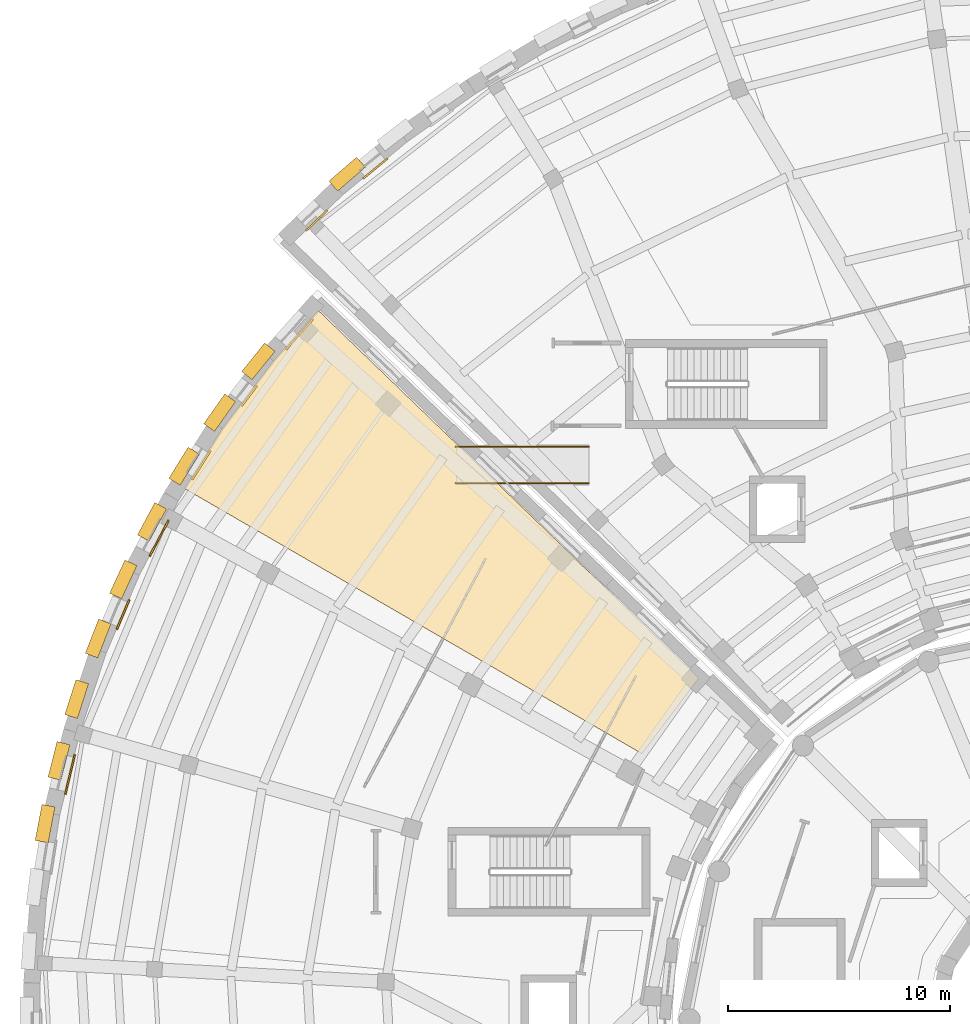
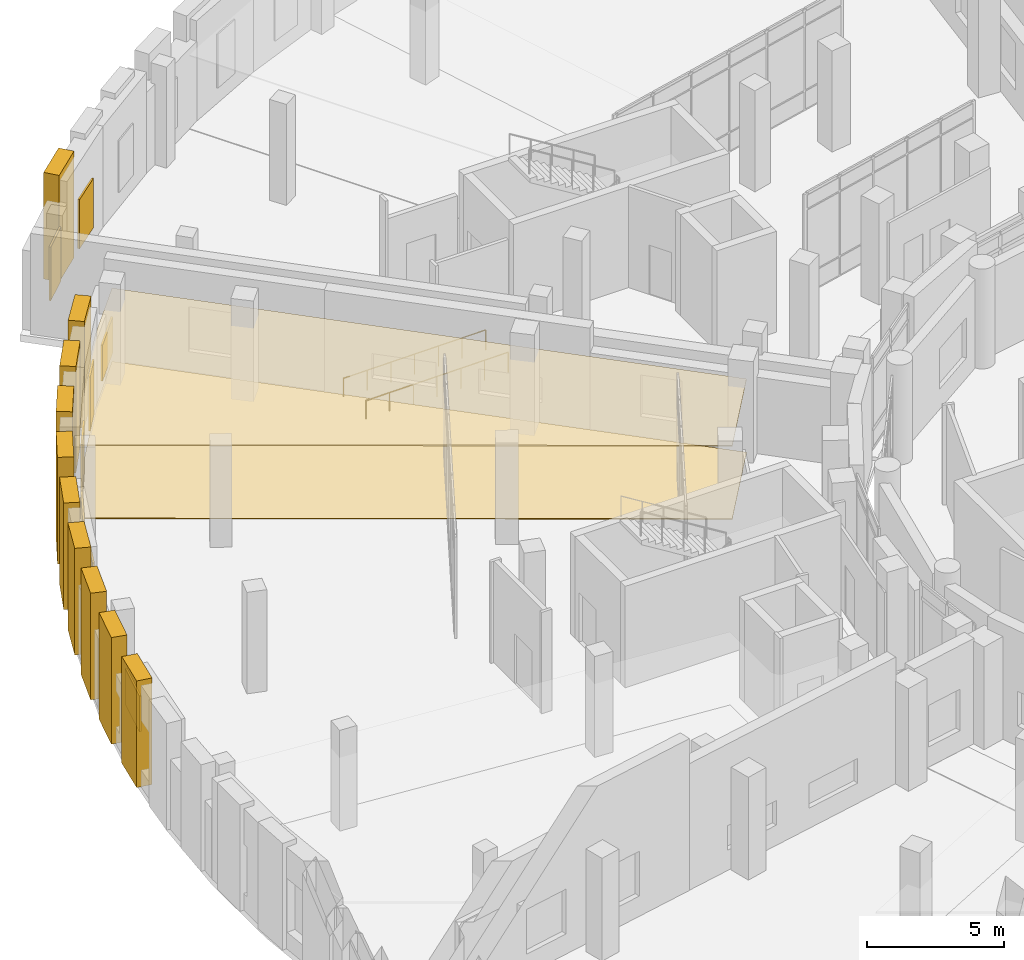
# One storey, part 81 of 89: 20 coverings, 2 railings.
"""IFC4 building model written with IfcOpenShell, lengths in metres."""

import ifcopenshell
import ifcopenshell.guid

model = None  # the IFC model being written
_history = None  # IfcOwnerHistory: only IFC2X3 demands one
_inside = {}  # id of a spatial element -> (the spatial element, [elements in it])
_under = {}  # id of a project, library or spatial element -> (it, [spatial elements below it])
_declared = {}  # id of a project -> (the project, [libraries it declares])
_typed = {}  # id of a type object -> (the type object, [elements of that type])
_made_of = {}  # id of a material, layer set ... -> (it, [elements and type objects made of it])


def new_model(schema):
    """Start an empty IFC model of exactly this schema.

    Asked for "IFC4X3", IfcOpenShell would pick the latest addendum, in which some entities
    have other attributes; the version numbers below select the first issue.
    IFC2X3 requires an IfcOwnerHistory on every rooted entity: one is made here for all.
    """
    global model, _history
    if schema == "IFC4X3":
        model = ifcopenshell.file(schema_version=(4, 3, 0, 0))
    else:
        model = ifcopenshell.file(schema=schema)
    _inside.clear()
    _under.clear()
    _declared.clear()
    _typed.clear()
    _made_of.clear()
    _history = None
    if model.schema == "IFC2X3":
        org = make("IfcOrganization", Name="unknown")
        user = make(
            "IfcPersonAndOrganization",
            ThePerson=make("IfcPerson", FamilyName="unknown"),
            TheOrganization=org,
        )
        app = make(
            "IfcApplication",
            ApplicationDeveloper=org,
            Version="unknown",
            ApplicationFullName="unknown",
            ApplicationIdentifier="unknown",
        )
        _history = make(
            "IfcOwnerHistory",
            OwningUser=user,
            OwningApplication=app,
            ChangeAction="ADDED",
            CreationDate=0,
        )
    return model


def make(cls, **values):
    """One entity of the class cls with the attributes given. An attribute that is None is left unset."""
    return model.create_entity(
        cls, **{name: value for name, value in values.items() if value is not None}
    )


def rooted(cls, **values):
    """An entity with a GlobalId (a new one), such as an element, a storey or a relation."""
    return make(cls, GlobalId=ifcopenshell.guid.new(), OwnerHistory=_history, **values)


def si_unit(unit_type, name, prefix=None):
    """IfcSIUnit, for example si_unit("LENGTHUNIT", "METRE", prefix="MILLI")."""
    return make("IfcSIUnit", UnitType=unit_type, Prefix=prefix, Name=name)


def assignment(units):
    """IfcUnitAssignment: the units of a project."""
    return None if units is None else make("IfcUnitAssignment", Units=units)


def point(xyz):
    """IfcCartesianPoint."""
    return None if xyz is None else make("IfcCartesianPoint", Coordinates=xyz)


def direction(xyz):
    """IfcDirection."""
    return None if xyz is None else make("IfcDirection", DirectionRatios=xyz)


def frame(location, z_axis=None, x_axis=None):
    """IfcAxis2Placement3D, a coordinate frame: its origin and axes. An axis left out is left unset."""
    return make(
        "IfcAxis2Placement3D",
        Location=point(location),
        Axis=direction(z_axis),
        RefDirection=direction(x_axis),
    )


def frame_2d(location, x_axis=None):
    """IfcAxis2Placement2D, a coordinate frame in the plane: its origin and x axis."""
    return make(
        "IfcAxis2Placement2D", Location=point(location), RefDirection=direction(x_axis)
    )


def origin():
    """The frame at (0, 0, 0) with its axes left unset."""
    return frame((0.0, 0.0, 0.0))


def origin_2d():
    """The frame at (0, 0) in the plane with its x axis left unset."""
    return frame_2d((0.0, 0.0))


def place(relative_to, where):
    """IfcLocalPlacement: puts the frame where relative to a parent placement (None: the world)."""
    return make(
        "IfcLocalPlacement", PlacementRelTo=relative_to, RelativePlacement=where
    )


def context(
    kind, dimensions, precision=None, world=None, true_north=None, identifier=None
):
    """IfcGeometricRepresentationContext, for example the 3D "Model" context."""
    return make(
        "IfcGeometricRepresentationContext",
        ContextIdentifier=identifier,
        ContextType=kind,
        CoordinateSpaceDimension=dimensions,
        Precision=precision,
        WorldCoordinateSystem=world,
        TrueNorth=true_north,
    )


def subcontext(parent, identifier, kind, view, scale=None):
    """IfcGeometricRepresentationSubContext, for example "Body" below "Model"."""
    return make(
        "IfcGeometricRepresentationSubContext",
        ContextIdentifier=identifier,
        ContextType=kind,
        ParentContext=parent,
        TargetScale=scale,
        TargetView=view,
    )


def project(units=None, contexts=None):
    """IfcProject with its units and contexts."""
    return rooted(
        "IfcProject",
        Name="project",
        RepresentationContexts=contexts,
        UnitsInContext=assignment(units),
    )


def spatial(cls, under=None, at=None, **own):
    """A site, building, storey or space (cls), placed at a placement, below another one or the project."""
    s = rooted(cls, ObjectPlacement=at, **own)
    if under is not None:
        _under.setdefault(under.id(), (under, []))[1].append(s)
    return s


def polyline(points):
    """IfcPolyline through the points."""
    return make("IfcPolyline", Points=[point(p) for p in points])


def profile(cls, at=None, kind="AREA", **sizes):
    """A parametric profile (cls). Its sizes go by their IFC names, for example OverallWidth=200.0."""
    return make(cls, ProfileType=kind, Position=at, **sizes)


def rectangle(**sizes):
    """IfcRectangleProfileDef."""
    return profile("IfcRectangleProfileDef", **sizes)


def circle(**sizes):
    """IfcCircleProfileDef."""
    return profile("IfcCircleProfileDef", **sizes)


def outline(outer, holes=None, kind="AREA"):
    """IfcArbitraryClosedProfileDef: a profile drawn as a closed curve; with holes, ...WithVoids."""
    if holes is None:
        return make("IfcArbitraryClosedProfileDef", ProfileType=kind, OuterCurve=outer)
    return make(
        "IfcArbitraryProfileDefWithVoids",
        ProfileType=kind,
        OuterCurve=outer,
        InnerCurves=holes,
    )


def extrude(swept, where, along, depth):
    """IfcExtrudedAreaSolid: the profile swept, set in the frame where, extruded along a direction by depth."""
    return make(
        "IfcExtrudedAreaSolid",
        SweptArea=swept,
        Position=where,
        ExtrudedDirection=direction(along),
        Depth=depth,
    )


def shape(context_of_items, identifier, shape_type, items):
    """IfcShapeRepresentation: the items that make up one representation, for example the "Body"."""
    return make(
        "IfcShapeRepresentation",
        ContextOfItems=context_of_items,
        RepresentationIdentifier=identifier,
        RepresentationType=shape_type,
        Items=items,
    )


def material(Name=None, Category=None):
    """IfcMaterial."""
    return make("IfcMaterial", Name=Name, Category=Category)


def layer(
    of_material, thickness, ventilated=None, Name=None, Category=None, Priority=None
):
    """IfcMaterialLayer: one layer of a wall or slab, of a material (None: an air gap)."""
    return make(
        "IfcMaterialLayer",
        Material=of_material,
        LayerThickness=thickness,
        IsVentilated=ventilated,
        Name=Name,
        Category=Category,
        Priority=Priority,
    )


def layer_set(layers, Name=None):
    """IfcMaterialLayerSet."""
    return make("IfcMaterialLayerSet", MaterialLayers=layers, LayerSetName=Name)


def made_of(thing, what):
    """Note that an element or type object is made of a material, layer set ...; save() writes the relation."""
    if what is not None:
        _made_of.setdefault(what.id(), (what, []))[1].append(thing)
    return thing


def type_object(cls, material=None, **own):
    """A type object (cls), such as IfcWallType, which elements share."""
    return made_of(rooted(cls, **own), material)


def element(
    cls,
    number,
    at=None,
    inside=None,
    cuts=None,
    type_object=None,
    material=None,
    context=None,
    identifier="Body",
    shape_type=None,
    held_by="IfcProductDefinitionShape",
    body=None,
    shapes=None,
    **own,
):
    """One element of the class cls, such as IfcWall. Its Tag is "e" and its number.

    at: its placement. inside: the storey or other place that contains it. cuts: it is an
    opening in that element (IfcRelVoidsElement). A single representation is given by context,
    identifier, shape_type and body (its items); several are given by shapes. held_by: the class
    of the entity that holds the representations. save() writes the other relations.
    """
    e = rooted(cls, Tag="e%d" % number, ObjectPlacement=at, **own)
    if body is not None:
        shapes = [shape(context, identifier, shape_type, body)]
    if shapes is not None:
        e.Representation = make(held_by, Representations=shapes)
    if inside is not None:
        _inside.setdefault(inside.id(), (inside, []))[1].append(e)
    if cuts is not None:
        rooted(
            "IfcRelVoidsElement", RelatingBuildingElement=cuts, RelatedOpeningElement=e
        )
    if type_object is not None:
        _typed.setdefault(type_object.id(), (type_object, []))[1].append(e)
    return made_of(e, material)


def aggregate(whole, parts):
    """IfcRelAggregates: a whole, such as a stair, and the parts it consists of."""
    return rooted("IfcRelAggregates", RelatingObject=whole, RelatedObjects=parts)


def save(model, path):
    """Write the relations noted so far, then the file.

    IfcRelAggregates (storeys below a building ...), IfcRelContainedInSpatialStructure (elements
    in a storey), IfcRelDefinesByType, IfcRelAssociatesMaterial and IfcRelDeclares: one each for
    every whole, place, type object, material and project.
    """
    for whole, parts in _under.values():
        aggregate(whole, parts)
    for where, things in _inside.values():
        rooted(
            "IfcRelContainedInSpatialStructure",
            RelatedElements=things,
            RelatingStructure=where,
        )
    for kind, things in _typed.values():
        rooted("IfcRelDefinesByType", RelatedObjects=things, RelatingType=kind)
    for what, things in _made_of.values():
        rooted("IfcRelAssociatesMaterial", RelatedObjects=things, RelatingMaterial=what)
    for by, libraries in _declared.values():
        rooted("IfcRelDeclares", RelatingContext=by, RelatedDefinitions=libraries)
    model.write(path)


model = new_model("IFC4")

# Units and contexts
model_context = context("Model", 3, precision=1e-05, world=origin(), true_north=direction((0.0, 1.0)))
body_context = subcontext(model_context, "Body", "Model", "MODEL_VIEW")
ifc_project = project(units=[si_unit("LENGTHUNIT", "METRE"), si_unit("AREAUNIT", "SQUARE_METRE"), si_unit("VOLUMEUNIT", "CUBIC_METRE"), si_unit("PLANEANGLEUNIT", "RADIAN"), si_unit("MASSUNIT", "GRAM", prefix="KILO")], contexts=[model_context])

# Site, building, storey
site_placement = place(None, origin())
site = spatial("IfcSite", under=ifc_project, at=site_placement, CompositionType="ELEMENT")
building_placement = place(site_placement, origin())
building = spatial("IfcBuilding", under=site, at=building_placement, Name="Soyqirgoq Riverine Aquarium", CompositionType="ELEMENT")
storey_placement = place(building_placement, frame((0.0, 0.0, 5.39990234375)))
storey = spatial("IfcBuildingStorey", under=building, at=storey_placement, Name="L02", CompositionType="ELEMENT", Elevation=5.39990234375)

# Coverings
ifc_material_1 = material(Name="Perforated mineral-fibre acoustic ceiling", Category="gypsum")
ifc_layer_1 = layer(ifc_material_1, 0.050048828125)
ifc_layer_set_1 = layer_set([ifc_layer_1], Name="Perforated mineral-fibre acoustic ceiling")
covering_type_1 = type_object("IfcCoveringType", Name="AcousticBaffleCeiling_50", PredefinedType="CEILING", material=ifc_layer_set_1)
covering_1_placement = place(storey_placement, frame((0.0, 0.0, 3.25)))
element("IfcCovering", 1, at=covering_1_placement, inside=storey, type_object=covering_type_1, Name="Desiccation History Exhibition Suspended Ceiling", PredefinedType="CEILING", context=body_context, shape_type="SweptSolid", body=[
    extrude(outline(polyline([(17.467041015625, 83.64794921875), (19.762939453125, 86.695068359375), (21.7939453125, 88.97607421875), (38.969970703125, 72.388916015625), (36.39794921875, 68.97607421875), (15.7548828125, 80.94189453125), (17.467041015625, 83.64794921875)])), origin(), (0.0, 0.0, 1.0), 0.050048828125),
])
ifc_material_2 = material(Name="Anodised extruded aluminium sunshade", Category="aluminium")
covering_type_2 = type_object("IfcCoveringType", Name="SolarShadingLouvre_450", PredefinedType="USERDEFINED", material=ifc_material_2)
covering_2_placement = place(storey_placement, frame((10.602294921875, 68.038818359375, 0.75), z_axis=(0.0, 0.0, 1.0), x_axis=(0.236329411694, 0.971672994977, 0.0)))
element("IfcCovering", 2, at=covering_2_placement, inside=storey, type_object=covering_type_2, Name="V3 L02 Travertine Niche Solar Shade 0035", ObjectType="SOLAR_SHADING", PredefinedType="USERDEFINED", context=body_context, shape_type="SweptSolid", body=[
    extrude(rectangle(XDim=1.840087890625, YDim=0.080078125, at=origin_2d()), origin(), (0.0, 0.0, 1.0), 1.60009765625),
])
covering_3_placement = place(storey_placement, frame((12.993408203125, 75.255126953125, 0.75), z_axis=(0.0, 0.0, 1.0), x_axis=(0.390731128489, 0.920504853452, 0.0)))
element("IfcCovering", 3, at=covering_3_placement, inside=storey, type_object=covering_type_2, Name="V3 L02 Travertine Niche Solar Shade 0036", ObjectType="SOLAR_SHADING", PredefinedType="USERDEFINED", context=body_context, shape_type="SweptSolid", body=[
    extrude(rectangle(XDim=1.43994140625, YDim=0.080078125, at=origin_2d()), origin(), (0.0, 0.0, 1.0), 2.199951171875),
])
covering_4_placement = place(storey_placement, frame((14.62109375, 78.693603515625, 0.75), z_axis=(0.0, 0.0, 1.0), x_axis=(0.464378391008, 0.885636895101, 0.0)))
element("IfcCovering", 4, at=covering_4_placement, inside=storey, type_object=covering_type_2, Name="V3 L02 Travertine Niche Solar Shade 0037", ObjectType="SOLAR_SHADING", PredefinedType="USERDEFINED", context=body_context, shape_type="SweptSolid", body=[
    extrude(rectangle(XDim=1.840087890625, YDim=0.080078125, at=origin_2d()), origin(), (0.0, 0.0, 1.0), 1.60009765625),
])
covering_5_placement = place(storey_placement, frame((16.5234375, 81.98828125, 0.75), z_axis=(0.0, 0.0, 1.0), x_axis=(0.534794854183, 0.844981931132, 0.0)))
element("IfcCovering", 5, at=covering_5_placement, inside=storey, type_object=covering_type_2, Name="V3 L02 Travertine Niche Solar Shade 0038", ObjectType="SOLAR_SHADING", PredefinedType="USERDEFINED", context=body_context, shape_type="SweptSolid", body=[
    extrude(rectangle(XDim=1.5400390625, YDim=0.080078125, at=origin_2d()), origin(), (0.0, 0.0, 1.0), 2.199951171875),
])
covering_6_placement = place(storey_placement, frame((18.687255859375, 85.1171875, 0.750244140625), z_axis=(0.0, 0.0, 1.0), x_axis=(0.601815023152, 0.798635510047, 0.0)))
element("IfcCovering", 6, at=covering_6_placement, inside=storey, type_object=covering_type_2, Name="V3 L02 Travertine Niche Solar Shade 0039", ObjectType="SOLAR_SHADING", PredefinedType="USERDEFINED", context=body_context, shape_type="SweptSolid", body=[
    extrude(rectangle(XDim=1.139892578125, YDim=0.080078125, at=origin_2d()), origin(), (0.0, 0.0, 1.0), 2.39990234375),
])
covering_7_placement = place(storey_placement, frame((20.945556640625, 87.8876953125, 0.75), z_axis=(0.0, 0.0, 1.0), x_axis=(0.664839324646, 0.746986393721, 0.0)))
element("IfcCovering", 7, at=covering_7_placement, inside=storey, type_object=covering_type_2, Name="V3 L02 Travertine Niche Solar Shade 0040", ObjectType="SOLAR_SHADING", PredefinedType="USERDEFINED", context=body_context, shape_type="SweptSolid", body=[
    extrude(rectangle(XDim=1.840087890625, YDim=0.080078125, at=origin_2d()), origin(), (0.0, 0.0, 1.0), 1.60009765625),
])
covering_8_placement = place(storey_placement, frame((21.72900390625, 93.0283203125, 0.750244140625), z_axis=(0.0, 0.0, 1.0), x_axis=(0.721397723859, 0.692520991747, 0.0)))
element("IfcCovering", 8, at=covering_8_placement, inside=storey, type_object=covering_type_2, Name="V4 L02 Travertine Niche Solar Shade 0043", ObjectType="SOLAR_SHADING", PredefinedType="USERDEFINED", context=body_context, shape_type="SweptSolid", body=[
    extrude(rectangle(XDim=1.340087890625, YDim=0.080078125, at=origin_2d()), origin(), (0.0, 0.0, 1.0), 2.39990234375),
])
covering_9_placement = place(storey_placement, frame((24.37158203125, 95.3681640625, 0.75), z_axis=(0.0, 0.0, 1.0), x_axis=(0.771624583388, 0.636078220278, 0.0)))
element("IfcCovering", 9, at=covering_9_placement, inside=storey, type_object=covering_type_2, Name="V4 L02 Travertine Niche Solar Shade 0044", ObjectType="SOLAR_SHADING", PredefinedType="USERDEFINED", context=body_context, shape_type="SweptSolid", body=[
    extrude(rectangle(XDim=1.43994140625, YDim=0.080078125, at=origin_2d()), origin(), (0.0, 0.0, 1.0), 2.199951171875),
])

# Railings
ifc_material_3 = material(Name="Brushed stainless steel 316L tubular handrail", Category="steel")
railing_type = type_object("IfcRailingType", Name="StairPitchHandrail_920", PredefinedType="HANDRAIL", material=ifc_material_3)
for number, where, name in (
    (10, (28.0, 81.179931640625, -0.059814453125), "L02 Riverine Gallery Accessible Ramp Handrail S"),
    (11, (28.0, 82.820068359375, -0.059814453125), "L02 Riverine Gallery Accessible Ramp Handrail N"),
):
    element("IfcRailing", number, at=place(storey_placement, frame(where)), inside=storey, type_object=railing_type, Name=name, PredefinedType="HANDRAIL", context=body_context, shape_type="SweptSolid", body=[
        extrude(circle(Radius=0.02392578125, at=origin_2d()), frame((0.0, 0.0, 0.89599609375), z_axis=(0.99995031247, 0.0, 0.009968580182), x_axis=(0.0, 1.0, 0.0)), (0.0, 0.0, 1.0), 6.000244140625),
        extrude(circle(Radius=0.02099609375, at=origin_2d()), origin(), (0.0, 0.0, 1.0), 0.871826171875),
        extrude(circle(Radius=0.02099609375, at=origin_2d()), frame((1.0, 0.0, 0.010009765625)), (0.0, 0.0, 1.0), 0.871826171875),
        extrude(circle(Radius=0.02099609375, at=origin_2d()), frame((2.0, 0.0, 0.02001953125)), (0.0, 0.0, 1.0), 0.871826171875),
        extrude(circle(Radius=0.02099609375, at=origin_2d()), frame((3.0, 0.0, 0.02978515625)), (0.0, 0.0, 1.0), 0.871826171875),
        extrude(circle(Radius=0.02099609375, at=origin_2d()), frame((4.0, 0.0, 0.039794921875)), (0.0, 0.0, 1.0), 0.871826171875),
        extrude(circle(Radius=0.02099609375, at=origin_2d()), frame((5.0, 0.0, 0.0498046875)), (0.0, 0.0, 1.0), 0.871826171875),
        extrude(circle(Radius=0.02099609375, at=origin_2d()), frame((6.0, 0.0, 0.059814453125)), (0.0, 0.0, 1.0), 0.871826171875),
    ])

# Coverings
ifc_material_4 = material(Name="Polished Chirchiq river-pebble terrazzo flooring", Category="concrete")
ifc_layer_2 = layer(ifc_material_4, 0.030029296875)
ifc_layer_set_2 = layer_set([ifc_layer_2], Name="Polished Chirchiq river-pebble terrazzo flooring")
covering_type_3 = type_object("IfcCoveringType", Name="TerrazzoFloorFinish_30", PredefinedType="FLOORING", material=ifc_layer_set_2)
covering_10_placement = place(storey_placement, origin())
element("IfcCovering", 12, at=covering_10_placement, inside=storey, type_object=covering_type_3, Name="Desiccation History Exhibition Floor Finish", PredefinedType="FLOORING", context=body_context, shape_type="SweptSolid", body=[
    extrude(outline(polyline([(17.467041015625, 83.64794921875), (19.762939453125, 86.695068359375), (21.7939453125, 88.97607421875), (38.969970703125, 72.388916015625), (36.39794921875, 68.97607421875), (15.7548828125, 80.94189453125), (17.467041015625, 83.64794921875)])), origin(), (0.0, 0.0, 1.0), 0.030029296875),
])
ifc_material_5 = material(Name="Honed Uzbek travertine limestone vertical niche pier", Category="masonry")
covering_type_4 = type_object("IfcCoveringType", Name="TravertineNichePier_550", PredefinedType="CLADDING", material=ifc_material_5)
for number, where, z_axis, x_axis, name in (
    (13, (19.098388671875, 86.669677734375, 0.0), (0.0, 0.0, 1.0), (-0.779337964931, 0.626603811364, 0.0), "V3 L02 Travertine Vertical Niche Pier 035"),
    (14, (17.352294921875, 84.3564453125, 0.0), (0.0, 0.0, 1.0), (-0.816238432831, 0.577715172702, 0.0), "V3 L02 Travertine Vertical Niche Pier 036"),
    (15, (15.7509765625, 81.940673828125, 0.0), (0.0, 0.0, 1.0), (-0.850076583478, 0.526659094883, 0.0), "V3 L02 Travertine Vertical Niche Pier 037"),
    (16, (14.30029296875, 79.431396484375, 0.0), (0.0, 0.0, 1.0), (-0.880642787868, 0.473780835594, 0.0), "V3 L02 Travertine Vertical Niche Pier 038"),
    (17, (13.006103515625, 76.837890625, 0.0), (0.0, 0.0, 1.0), (-0.907996978683, 0.418976713794, 0.0), "V3 L02 Travertine Vertical Niche Pier 039"),
    (18, (11.872802734375, 74.17041015625, 0.0), (0.0, 0.0, 1.0), (-0.931944597717, 0.362600698822, 0.0), "V3 L02 Travertine Vertical Niche Pier 040"),
    (19, (10.905029296875, 71.4384765625, 0.0), (0.0, 0.0, 1.0), (-0.952395799643, 0.304864299028, 0.0), "V3 L02 Travertine Vertical Niche Pier 041"),
    (20, (10.106201171875, 68.65234375, 0.0), (0.0, 0.0, 1.0), (-0.969230909707, 0.246153293029, 0.0), "V3 L02 Travertine Vertical Niche Pier 042"),
    (21, (9.479248046875, 65.822509765625, 0.0), (0.0, 0.0, 1.0), (-0.982482937347, 0.186352563227, 0.0), "V3 L02 Travertine Vertical Niche Pier 043"),
    (22, (23.100341796875, 95.11474609375, 0.0), (0.0, 0.0, 1.0), (-0.65342060399, 0.756995055652, 0.0), "V4 L02 Travertine Vertical Niche Pier 089"),
):
    element("IfcCovering", number, at=place(storey_placement, frame(where, z_axis=z_axis, x_axis=x_axis)), inside=storey, type_object=covering_type_4, Name=name, PredefinedType="CLADDING", context=body_context, shape_type="SweptSolid", body=[
        extrude(rectangle(XDim=0.60009765625, YDim=1.64990234375, at=origin_2d()), origin(), (0.0, 0.0, 1.0), 4.75),
    ])

save(model, "model.ifc")
